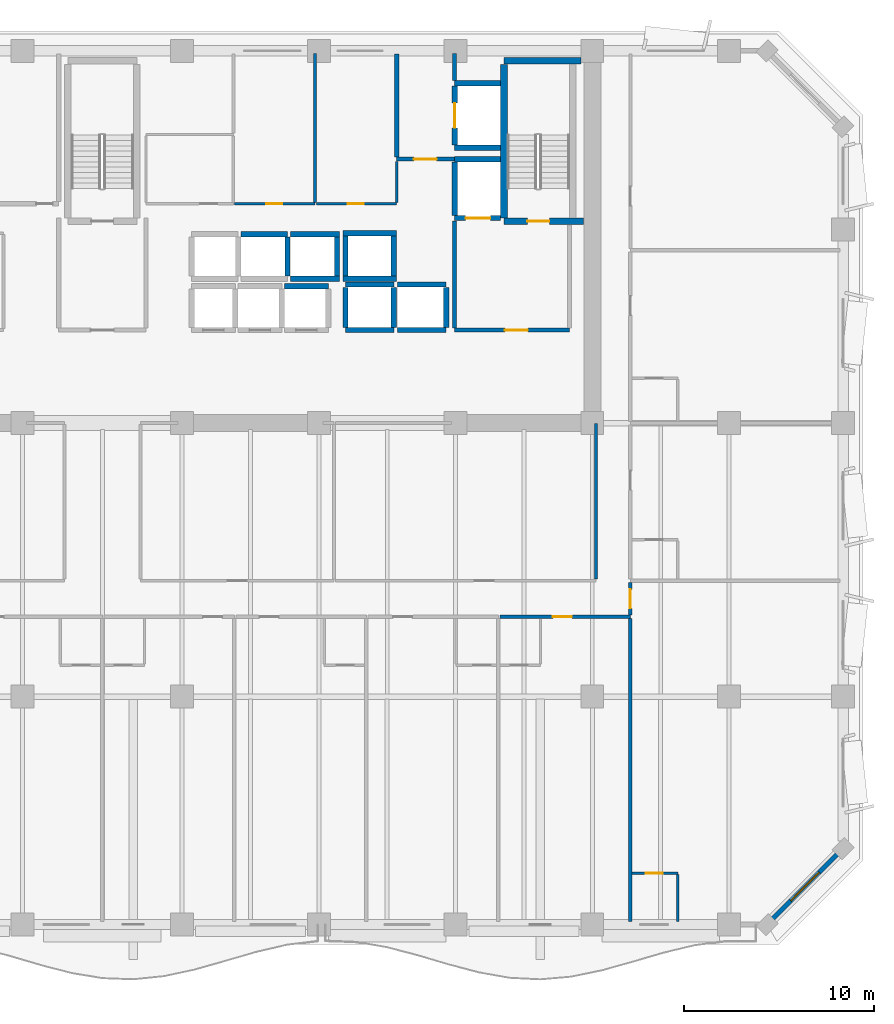
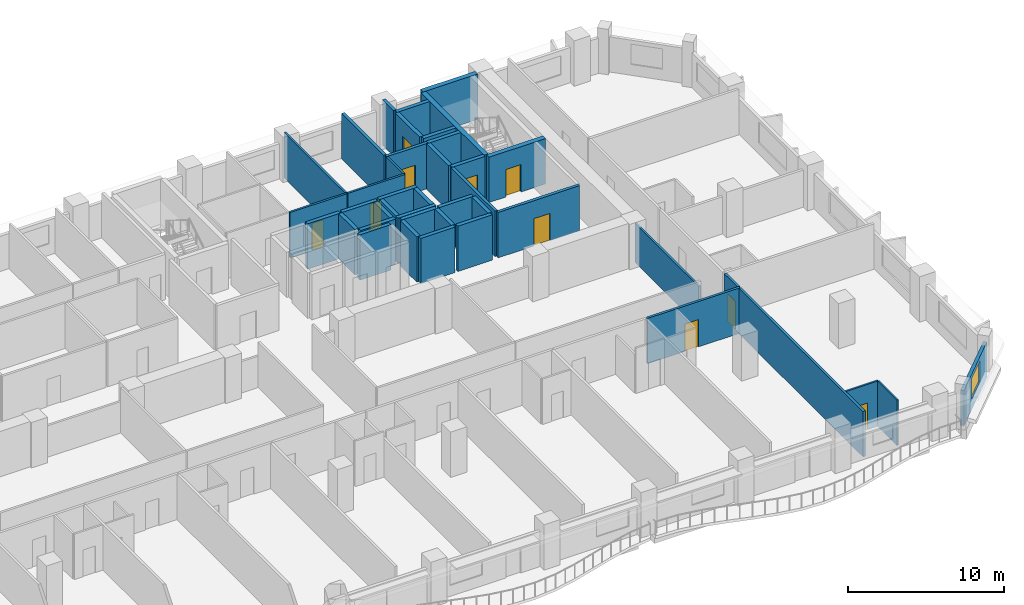
# One storey, part 8 of 14: 42 walls, 10 doors, 1 window, 11 openings.
"""IFC4 building model written with IfcOpenShell, lengths in metres."""

from ifc_helpers import new_model, si_unit, direction, frame, frame_2d, origin, place, context, subcontext, project, spatial, rectangle, extrude, material, layer, layer_set, type_object, element, fill, save


model = new_model("IFC4")

# Units and contexts
model_context = context("Model", 3, precision=1e-05, world=origin(), true_north=direction((0.0, 1.0)))
body_context = subcontext(model_context, "Body", "Model", "MODEL_VIEW")
ifc_project = project(units=[si_unit("LENGTHUNIT", "METRE"), si_unit("AREAUNIT", "SQUARE_METRE"), si_unit("VOLUMEUNIT", "CUBIC_METRE"), si_unit("PLANEANGLEUNIT", "RADIAN"), si_unit("MASSUNIT", "GRAM", prefix="KILO")], contexts=[model_context])

# Site, building, storey
site_placement = place(None, origin())
site = spatial("IfcSite", under=ifc_project, at=site_placement, CompositionType="ELEMENT")
building_placement = place(site_placement, origin())
building = spatial("IfcBuilding", under=site, at=building_placement, Name="Kaelvorn Grand Hotel", CompositionType="ELEMENT")
storey_placement = place(building_placement, frame((0.0, 0.0, 165.75)))
storey = spatial("IfcBuildingStorey", under=building, at=storey_placement, Name="L40", CompositionType="ELEMENT", Elevation=165.75)

# Wall, opening, window
ifc_material_1 = material(Name="Concrete C40/50", Category="concrete")
ifc_layer_1 = layer(ifc_material_1, 0.239990234375)
ifc_layer_set_1 = layer_set([ifc_layer_1], Name="Concrete C40/50")
wall_type_1 = type_object("IfcWallType", Name="WL-EXT-240-C40", PredefinedType="SOLIDWALL", material=ifc_layer_set_1)
wall_1_placement = place(storey_placement, frame((77.0, 3.0, 0.0), z_axis=(0.0, 0.0, 1.0), x_axis=(0.707106781187, 0.707106781187, 0.0)))
wall_1 = element("IfcWall", 1, at=wall_1_placement, inside=storey, type_object=wall_type_1, Name="L40 Exterior Architectural Concrete Wall 02", PredefinedType="SOLIDWALL", context=body_context, shape_type="SweptSolid", body=[
    extrude(rectangle(XDim=5.65673828125, YDim=0.239990234375, at=frame_2d((2.828369140625, 0.0))), origin(), (0.0, 0.0, 1.0), 2.760009765625),
])
opening_1_placement = place(wall_1_placement, frame((1.7783203125, 0.0, 0.85009765625)))
opening_1 = element("IfcOpeningElement", 2, at=opening_1_placement, cuts=wall_1, Name="Opening W7", PredefinedType="OPENING", context=body_context, shape_type="SweptSolid", body=[
    extrude(rectangle(XDim=2.10009765625, YDim=1.60009765625, at=frame_2d((1.050048828125, 0.800048828125))), frame((0.0, 0.1298828125, 0.0), z_axis=(0.0, -1.0, 0.0), x_axis=(1.0, 0.0, 0.0)), (0.0, 0.0, 1.0), 0.260009765625),
])
ifc_material_2 = material(Name="Laminated Low-E Glass", Category="glass")
window_type = type_object("IfcWindowType", Name="WIN-CHM-2100x1600", PartitioningType="SINGLE_PANEL", PredefinedType="WINDOW", material=ifc_material_2)
window_placement = place(opening_1_placement, origin())
window = element("IfcWindow", 3, at=window_placement, inside=storey, type_object=window_type, Name="L40 Chamfered 45-Degree Corner Window SE", OverallHeight=1.60009765625, OverallWidth=2.10009765625, PartitioningType="SINGLE_PANEL", PredefinedType="WINDOW", context=body_context, shape_type="SweptSolid", body=[
    extrude(rectangle(XDim=2.10009765625, YDim=1.60009765625, at=frame_2d((1.050048828125, 0.800048828125))), frame((0.0, 0.030029296875, 0.0), z_axis=(0.0, -1.0, 0.0), x_axis=(1.0, 0.0, 0.0)), (0.0, 0.0, 1.0), 0.06005859375),
])
fill(opening_1, window)

# Wall, opening, door
ifc_material_3 = material(Name="Moisture-Resistant Tile & Stud Board")
ifc_layer_2 = layer(ifc_material_3, 0.125)
ifc_layer_set_2 = layer_set([ifc_layer_2], Name="Moisture-Resistant Tile & Stud Board")
wall_type_2 = type_object("IfcWallType", Name="WL-PART-125-WET", PredefinedType="PARTITIONING", material=ifc_layer_set_2)
wall_2_placement = place(storey_placement, frame((69.89501953125, 5.699951171875, 0.0), z_axis=(0.0, 0.0, 1.0), x_axis=(1.0, 0.0, 0.0)))
wall_2 = element("IfcWall", 4, at=wall_2_placement, inside=storey, type_object=wall_type_2, Name="L40 En-suite Bathroom L40-11 N Partition", PredefinedType="PARTITIONING", context=body_context, shape_type="SweptSolid", body=[
    extrude(rectangle(XDim=2.405029296875, YDim=0.125, at=frame_2d((1.20263671875, 0.0))), origin(), (0.0, 0.0, 1.0), 3.56005859375),
])
opening_2_placement = place(wall_2_placement, frame((0.705078125, 0.0, 0.0)))
opening_2 = element("IfcOpeningElement", 5, at=opening_2_placement, cuts=wall_2, Name="Opening DI4", PredefinedType="OPENING", context=body_context, shape_type="SweptSolid", body=[
    extrude(rectangle(XDim=0.89990234375, YDim=2.10009765625, at=frame_2d((0.449951171875, 1.050048828125))), frame((0.0, 0.072509765625, 0.0), z_axis=(0.0, -1.0, 0.0), x_axis=(1.0, 0.0, 0.0)), (0.0, 0.0, 1.0), 0.14501953125),
])
ifc_material_4 = material(Name="Timber Veneer Leaf", Category="wood")
door_type_1 = type_object("IfcDoorType", Name="DR-INT-BATH-900x2100", OperationType="NOTDEFINED", PredefinedType="DOOR", material=ifc_material_4)
door_1_placement = place(opening_2_placement, origin())
door_1 = element("IfcDoor", 6, at=door_1_placement, inside=storey, type_object=door_type_1, Name="L40 En-suite Bathroom L40-11 Door", OperationType="SINGLE_SWING_LEFT", OverallHeight=2.10009765625, OverallWidth=0.89990234375, PredefinedType="DOOR", context=body_context, shape_type="SweptSolid", body=[
    extrude(rectangle(XDim=0.89990234375, YDim=2.10009765625, at=frame_2d((0.449951171875, 1.050048828125))), frame((0.0, 0.02490234375, 0.0), z_axis=(0.0, -1.0, 0.0), x_axis=(1.0, 0.0, 0.0)), (0.0, 0.0, 1.0), 0.050048828125),
])
fill(opening_2, door_1)

# Wall
wall_3_placement = place(storey_placement, frame((72.300048828125, 3.14990234375, 0.0), z_axis=(0.0, 0.0, 1.0), x_axis=(0.0, 1.0, 0.0)))
element("IfcWall", 7, at=wall_3_placement, inside=storey, type_object=wall_type_2, Name="L40 En-suite Bathroom L40-11 E Partition", PredefinedType="PARTITIONING", context=body_context, shape_type="SweptSolid", body=[
    extrude(rectangle(XDim=2.482666015625, YDim=0.125, at=frame_2d((1.2412109375, 0.0))), origin(), (0.0, 0.0, 1.0), 3.56005859375),
])

# Wall, opening, door
ifc_material_5 = material(Name="Acoustic Gypsum & Stud Partition")
ifc_layer_3 = layer(ifc_material_5, 0.14990234375)
ifc_layer_set_3 = layer_set([ifc_layer_3], Name="Acoustic Gypsum & Stud Partition")
wall_type_3 = type_object("IfcWallType", Name="WL-PART-150-EI60", PredefinedType="PARTITIONING", material=ifc_layer_set_3)
wall_4_placement = place(storey_placement, frame((48.967529296875, 40.949951171875, 0.0), z_axis=(0.0, 0.0, 1.0), x_axis=(1.0, 0.0, 0.0)))
wall_4 = element("IfcWall", 8, at=wall_4_placement, inside=storey, type_object=wall_type_3, Name="L40 Minibar & Glassware Store S Partition", PredefinedType="PARTITIONING", context=body_context, shape_type="SweptSolid", body=[
    extrude(rectangle(XDim=4.232421875, YDim=0.14990234375, at=frame_2d((2.1162109375, 0.0))), origin(), (0.0, 0.0, 1.0), 3.56005859375),
])
opening_3_placement = place(wall_4_placement, frame((1.657470703125, 0.0, 0.0)))
opening_3 = element("IfcOpeningElement", 9, at=opening_3_placement, cuts=wall_4, Name="Opening DI7", PredefinedType="OPENING", context=body_context, shape_type="SweptSolid", body=[
    extrude(rectangle(XDim=0.85009765625, YDim=2.10009765625, at=frame_2d((0.425048828125, 1.050048828125))), frame((0.0, 0.0849609375, 0.0), z_axis=(0.0, -1.0, 0.0), x_axis=(1.0, 0.0, 0.0)), (0.0, 0.0, 1.0), 0.169921875),
])
ifc_material_6 = material(Name="Powder-Coated Steel Leaf", Category="steel")
door_type_2 = type_object("IfcDoorType", Name="DR-INT-RISER-850x2100", OperationType="NOTDEFINED", PredefinedType="DOOR", material=ifc_material_6)
door_2_placement = place(opening_3_placement, origin())
door_2 = element("IfcDoor", 10, at=door_2_placement, inside=storey, type_object=door_type_2, Name="L40 Minibar & Glassware Store Door", OperationType="SINGLE_SWING_RIGHT", OverallHeight=2.10009765625, OverallWidth=0.85009765625, PredefinedType="DOOR", context=body_context, shape_type="SweptSolid", body=[
    extrude(rectangle(XDim=0.85009765625, YDim=2.10009765625, at=frame_2d((0.425048828125, 1.050048828125))), frame((0.0, 0.02490234375, 0.0), z_axis=(0.0, -1.0, 0.0), x_axis=(1.0, 0.0, 0.0)), (0.0, 0.0, 1.0), 0.050048828125),
])
fill(opening_3, door_2)

# Wall
wall_5_placement = place(storey_placement, frame((53.199951171875, 41.030029296875, 0.0), z_axis=(0.0, 0.0, 1.0), x_axis=(0.0, 1.0, 0.0)))
element("IfcWall", 11, at=wall_5_placement, inside=storey, type_object=wall_type_3, Name="L40 Minibar & Glassware Store E Partition", PredefinedType="PARTITIONING", context=body_context, shape_type="SweptSolid", body=[
    extrude(rectangle(XDim=7.820068359375, YDim=0.14990234375, at=frame_2d((3.91015625, 0.0))), origin(), (0.0, 0.0, 1.0), 3.56005859375),
])

# Wall, opening, door
wall_6_placement = place(storey_placement, frame((53.280029296875, 40.949951171875, 0.0), z_axis=(0.0, 0.0, 1.0), x_axis=(1.0, 0.0, 0.0)))
wall_6 = element("IfcWall", 12, at=wall_6_placement, inside=storey, type_object=wall_type_3, Name="L40 Floor IT & Comms Room S Partition", PredefinedType="PARTITIONING", context=body_context, shape_type="SweptSolid", body=[
    extrude(rectangle(XDim=4.219970703125, YDim=0.14990234375, at=frame_2d((2.10986328125, 0.0))), origin(), (0.0, 0.0, 1.0), 3.56005859375),
])
opening_4_placement = place(wall_6_placement, frame((1.64501953125, 0.0, 0.0)))
opening_4 = element("IfcOpeningElement", 13, at=opening_4_placement, cuts=wall_6, Name="Opening DI7", PredefinedType="OPENING", context=body_context, shape_type="SweptSolid", body=[
    extrude(rectangle(XDim=0.85009765625, YDim=2.10009765625, at=frame_2d((0.425048828125, 1.050048828125))), frame((0.0, 0.0849609375, 0.0), z_axis=(0.0, -1.0, 0.0), x_axis=(1.0, 0.0, 0.0)), (0.0, 0.0, 1.0), 0.169921875),
])
door_3_placement = place(opening_4_placement, origin())
door_3 = element("IfcDoor", 14, at=door_3_placement, inside=storey, type_object=door_type_2, Name="L40 Floor IT & Comms Room Door", OperationType="SINGLE_SWING_LEFT", OverallHeight=2.10009765625, OverallWidth=0.85009765625, PredefinedType="DOOR", context=body_context, shape_type="SweptSolid", body=[
    extrude(rectangle(XDim=0.85009765625, YDim=2.10009765625, at=frame_2d((0.425048828125, 1.050048828125))), frame((0.0, 0.02490234375, 0.0), z_axis=(0.0, -1.0, 0.0), x_axis=(1.0, 0.0, 0.0)), (0.0, 0.0, 1.0), 0.050048828125),
])
fill(opening_4, door_3)

# Walls
wall_7_placement = place(storey_placement, frame((57.5, 41.030029296875, 0.0), z_axis=(0.0, 0.0, 1.0), x_axis=(0.0, 1.0, 0.0)))
element("IfcWall", 15, at=wall_7_placement, inside=storey, type_object=wall_type_3, Name="L40 Floor IT & Comms Room E Partition", PredefinedType="PARTITIONING", context=body_context, shape_type="SweptSolid", body=[
    extrude(rectangle(XDim=2.155029296875, YDim=0.14990234375, at=frame_2d((1.07763671875, 0.0))), origin(), (0.0, 0.0, 1.0), 3.56005859375),
])
wall_8_placement = place(storey_placement, frame((68.0, 21.179931640625, 0.0), z_axis=(0.0, 0.0, 1.0), x_axis=(0.0, 1.0, 0.0)))
element("IfcWall", 16, at=wall_8_placement, inside=storey, type_object=wall_type_3, Name="L40 Executive Meeting Room E Partition", PredefinedType="PARTITIONING", context=body_context, shape_type="SweptSolid", body=[
    extrude(rectangle(XDim=8.2099609375, YDim=0.14990234375, at=frame_2d((4.10498046875, 0.0))), origin(), (0.0, 0.0, 1.0), 3.06005859375),
])

# Wall, opening, door
ifc_layer_4 = layer(ifc_material_5, 0.179931640625)
ifc_layer_set_4 = layer_set([ifc_layer_4], Name="Acoustic Gypsum & Stud Partition")
wall_type_4 = type_object("IfcWallType", Name="WL-PART-180-EI60", PredefinedType="PARTITIONING", material=ifc_layer_set_4)
wall_9_placement = place(storey_placement, frame((62.945068359375, 19.199951171875, 0.0), z_axis=(0.0, 0.0, 1.0), x_axis=(1.0, 0.0, 0.0)))
wall_9 = element("IfcWall", 17, at=wall_9_placement, inside=storey, type_object=wall_type_4, Name="L40 Mid-Rise Signature Suite L40-08 N Partition", PredefinedType="PARTITIONING", context=body_context, shape_type="SweptSolid", body=[
    extrude(rectangle(XDim=6.85498046875, YDim=0.179931640625, at=frame_2d((3.427490234375, 0.0))), origin(), (0.0, 0.0, 1.0), 3.56005859375),
])
opening_5_placement = place(wall_9_placement, frame((2.77490234375, 0.0, 0.0)))
opening_5 = element("IfcOpeningElement", 18, at=opening_5_placement, cuts=wall_9, Name="Opening DI3", PredefinedType="OPENING", context=body_context, shape_type="SweptSolid", body=[
    extrude(rectangle(XDim=1.0, YDim=2.14990234375, at=frame_2d((0.5, 1.074951171875))), frame((0.0, 0.10009765625, 0.0), z_axis=(0.0, -1.0, 0.0), x_axis=(1.0, 0.0, 0.0)), (0.0, 0.0, 1.0), 0.199951171875),
])
ifc_material_7 = material(Name="Timber Veneer Fire Leaf", Category="wood")
door_type_3 = type_object("IfcDoorType", Name="DR-INT-GUEST-1000x2150", OperationType="NOTDEFINED", PredefinedType="DOOR", material=ifc_material_7)
door_4_placement = place(opening_5_placement, origin())
door_4 = element("IfcDoor", 19, at=door_4_placement, inside=storey, type_object=door_type_3, Name="L40 Mid-Rise Signature Suite L40-08 Door", OperationType="SINGLE_SWING_RIGHT", OverallHeight=2.14990234375, OverallWidth=1.0, PredefinedType="DOOR", context=body_context, shape_type="SweptSolid", body=[
    extrude(rectangle(XDim=1.0, YDim=2.14990234375, at=frame_2d((0.5, 1.074951171875))), frame((0.0, 0.02490234375, 0.0), z_axis=(0.0, -1.0, 0.0), x_axis=(1.0, 0.0, 0.0)), (0.0, 0.0, 1.0), 0.050048828125),
])
fill(opening_5, door_4)

# Wall
wall_10_placement = place(storey_placement, frame((69.800048828125, 3.14990234375, 0.0), z_axis=(0.0, 0.0, 1.0), x_axis=(0.0, 1.0, 0.0)))
element("IfcWall", 20, at=wall_10_placement, inside=storey, type_object=wall_type_4, Name="L40 Mid-Rise Signature Suite L40-08 E Partition", PredefinedType="PARTITIONING", context=body_context, shape_type="SweptSolid", body=[
    extrude(rectangle(XDim=15.955078125, YDim=0.179931640625, at=frame_2d((7.9775390625, 0.0))), origin(), (0.0, 0.0, 1.0), 3.56005859375),
])

# Wall, opening, door
wall_11_placement = place(storey_placement, frame((69.800048828125, 19.294921875, 0.0), z_axis=(0.0, 0.0, 1.0), x_axis=(0.0, 1.0, 0.0)))
wall_11 = element("IfcWall", 21, at=wall_11_placement, inside=storey, type_object=wall_type_4, Name="L40 South-East Chamfer Suite L40-11 W Partition", PredefinedType="PARTITIONING", context=body_context, shape_type="SweptSolid", body=[
    extrude(rectangle(XDim=1.7099609375, YDim=0.179931640625, at=frame_2d((0.85498046875, 0.0))), origin(), (0.0, 0.0, 1.0), 3.56005859375),
])
opening_6_placement = place(wall_11_placement, frame((0.35498046875, 0.0, 0.0)))
opening_6 = element("IfcOpeningElement", 22, at=opening_6_placement, cuts=wall_11, Name="Opening DI3", PredefinedType="OPENING", context=body_context, shape_type="SweptSolid", body=[
    extrude(rectangle(XDim=1.0, YDim=2.14990234375, at=frame_2d((0.5, 1.074951171875))), frame((0.0, 0.10009765625, 0.0), z_axis=(0.0, -1.0, 0.0), x_axis=(1.0, 0.0, 0.0)), (0.0, 0.0, 1.0), 0.199951171875),
])
door_5_placement = place(opening_6_placement, origin())
door_5 = element("IfcDoor", 23, at=door_5_placement, inside=storey, type_object=door_type_3, Name="L40 South-East Chamfer Suite L40-11 Door", OperationType="SINGLE_SWING_RIGHT", OverallHeight=2.14990234375, OverallWidth=1.0, PredefinedType="DOOR", context=body_context, shape_type="SweptSolid", body=[
    extrude(rectangle(XDim=1.0, YDim=2.14990234375, at=frame_2d((0.5, 1.074951171875))), frame((0.0, 0.02490234375, 0.0), z_axis=(0.0, -1.0, 0.0), x_axis=(1.0, 0.0, 0.0)), (0.0, 0.0, 1.0), 0.050048828125),
])
fill(opening_6, door_5)

ifc_layer_5 = layer(ifc_material_1, 0.219970703125)
ifc_layer_set_5 = layer_set([ifc_layer_5], Name="Concrete C40/50")
wall_type_5 = type_object("IfcWallType", Name="WL-PART-220-EI120", PredefinedType="PARTITIONING", material=ifc_layer_set_5)
wall_12_placement = place(storey_placement, frame((60.550048828125, 34.300048828125, 0.0), z_axis=(0.0, 0.0, 1.0), x_axis=(1.0, 0.0, 0.0)))
wall_12 = element("IfcWall", 24, at=wall_12_placement, inside=storey, type_object=wall_type_5, Name="L40 Firefighting Lift Lobby 2 S Partition", PredefinedType="PARTITIONING", context=body_context, shape_type="SweptSolid", body=[
    extrude(rectangle(XDim=6.050048828125, YDim=0.219970703125, at=frame_2d((3.02490234375, 0.0))), origin(), (0.0, 0.0, 1.0), 3.56005859375),
])
opening_7_placement = place(wall_12_placement, frame((2.64990234375, 0.0, 0.0)))
opening_7 = element("IfcOpeningElement", 25, at=opening_7_placement, cuts=wall_12, Name="Opening DI2", PredefinedType="OPENING", context=body_context, shape_type="SweptSolid", body=[
    extrude(rectangle(XDim=1.199951171875, YDim=2.14990234375, at=frame_2d((0.60009765625, 1.074951171875))), frame((0.0, 0.1201171875, 0.0), z_axis=(0.0, -1.0, 0.0), x_axis=(1.0, 0.0, 0.0)), (0.0, 0.0, 1.0), 0.239990234375),
])
door_type_4 = type_object("IfcDoorType", Name="DR-INT-FFLOB-1200x2150", OperationType="NOTDEFINED", PredefinedType="DOOR", material=ifc_material_7)
door_6_placement = place(opening_7_placement, origin())
door_6 = element("IfcDoor", 26, at=door_6_placement, inside=storey, type_object=door_type_4, Name="L40 Firefighting Lift Lobby 2 Door", OperationType="SINGLE_SWING_LEFT", OverallHeight=2.14990234375, OverallWidth=1.199951171875, PredefinedType="DOOR", context=body_context, shape_type="SweptSolid", body=[
    extrude(rectangle(XDim=1.199951171875, YDim=2.14990234375, at=frame_2d((0.60009765625, 1.074951171875))), frame((0.0, 0.02490234375, 0.0), z_axis=(0.0, -1.0, 0.0), x_axis=(1.0, 0.0, 0.0)), (0.0, 0.0, 1.0), 0.050048828125),
])
fill(opening_7, door_6)

# Wall
wall_13_placement = place(storey_placement, frame((60.550048828125, 34.4150390625, 0.0), z_axis=(0.0, 0.0, 1.0), x_axis=(0.0, 1.0, 0.0)))
element("IfcWall", 27, at=wall_13_placement, inside=storey, type_object=wall_type_5, Name="L40 Firefighting Lift Lobby 2 W Partition", PredefinedType="PARTITIONING", context=body_context, shape_type="SweptSolid", body=[
    extrude(rectangle(XDim=5.639892578125, YDim=0.219970703125, at=frame_2d((2.81982421875, 0.0))), origin(), (0.0, 0.0, 1.0), 3.56005859375),
])

# Wall, opening, door
wall_14_placement = place(storey_placement, frame((57.5, 43.300048828125, 0.0), z_axis=(0.0, 0.0, 1.0), x_axis=(1.0, 0.0, 0.0)))
wall_14 = element("IfcWall", 28, at=wall_14_placement, inside=storey, type_object=wall_type_5, Name="L40 Service Lift Lobby S Partition", PredefinedType="PARTITIONING", context=body_context, shape_type="SweptSolid", body=[
    extrude(rectangle(XDim=3.0400390625, YDim=0.219970703125, at=frame_2d((1.52001953125, 0.0))), origin(), (0.0, 0.0, 1.0), 3.56005859375),
])
opening_8_placement = place(wall_14_placement, frame((0.89990234375, 0.0, 0.0)))
opening_8 = element("IfcOpeningElement", 29, at=opening_8_placement, cuts=wall_14, Name="Opening DI2", PredefinedType="OPENING", context=body_context, shape_type="SweptSolid", body=[
    extrude(rectangle(XDim=1.199951171875, YDim=2.14990234375, at=frame_2d((0.60009765625, 1.074951171875))), frame((0.0, 0.1201171875, 0.0), z_axis=(0.0, -1.0, 0.0), x_axis=(1.0, 0.0, 0.0)), (0.0, 0.0, 1.0), 0.239990234375),
])
door_7_placement = place(opening_8_placement, origin())
door_7 = element("IfcDoor", 30, at=door_7_placement, inside=storey, type_object=door_type_4, Name="L40 Service Lift Lobby Door", OperationType="SINGLE_SWING_LEFT", OverallHeight=2.14990234375, OverallWidth=1.199951171875, PredefinedType="DOOR", context=body_context, shape_type="SweptSolid", body=[
    extrude(rectangle(XDim=1.199951171875, YDim=2.14990234375, at=frame_2d((0.60009765625, 1.074951171875))), frame((0.0, 0.02490234375, 0.0), z_axis=(0.0, -1.0, 0.0), x_axis=(1.0, 0.0, 0.0)), (0.0, 0.0, 1.0), 0.050048828125),
])
fill(opening_8, door_7)

# Walls
wall_15_placement = place(storey_placement, frame((57.5, 43.4150390625, 0.0), z_axis=(0.0, 0.0, 1.0), x_axis=(0.0, 1.0, 0.0)))
element("IfcWall", 31, at=wall_15_placement, inside=storey, type_object=wall_type_5, Name="L40 Service Lift Lobby W Partition", PredefinedType="PARTITIONING", context=body_context, shape_type="SweptSolid", body=[
    extrude(rectangle(XDim=5.43505859375, YDim=0.219970703125, at=frame_2d((2.717529296875, 0.0))), origin(), (0.0, 0.0, 1.0), 3.56005859375),
])
wall_16_placement = place(storey_placement, frame((60.550048828125, 47.445068359375, 0.0), z_axis=(0.0, 0.0, 1.0), x_axis=(0.0, 1.0, 0.0)))
element("IfcWall", 32, at=wall_16_placement, inside=storey, type_object=wall_type_5, Name="L40 Service Lift Lobby E Partition", PredefinedType="PARTITIONING", context=body_context, shape_type="SweptSolid", body=[
    extrude(rectangle(XDim=1.405029296875, YDim=0.219970703125, at=frame_2d((0.70263671875, 0.0))), origin(), (0.0, 0.0, 1.0), 3.56005859375),
])
ifc_material_8 = material(Name="Concrete C50/60", Category="concrete")
ifc_layer_6 = layer(ifc_material_8, 0.280029296875)
ifc_layer_set_6 = layer_set([ifc_layer_6], Name="Concrete C50/60")
wall_type_6 = type_object("IfcWallType", Name="WL-SHAFT-280-C50", PredefinedType="SHEAR", material=ifc_layer_set_6)
wall_17_placement = place(storey_placement, frame((51.60009765625, 36.60009765625, 0.0), z_axis=(0.0, 0.0, 1.0), x_axis=(1.0, 0.0, 0.0)))
element("IfcWall", 33, at=wall_17_placement, inside=storey, type_object=wall_type_6, Name="L40 Lift PL-M3 Shaft North Wall", PredefinedType="SHEAR", context=body_context, shape_type="SweptSolid", body=[
    extrude(rectangle(XDim=2.2998046875, YDim=0.280029296875, at=frame_2d((1.14990234375, 0.0))), origin(), (0.0, 0.0, 1.0), 3.56005859375),
])
wall_18_placement = place(storey_placement, frame((49.300048828125, 39.35009765625, 0.0), z_axis=(0.0, 0.0, 1.0), x_axis=(1.0, 0.0, 0.0)))
element("IfcWall", 34, at=wall_18_placement, inside=storey, type_object=wall_type_6, Name="L40 Lift SL-2 Shaft North Wall", PredefinedType="SHEAR", context=body_context, shape_type="SweptSolid", body=[
    extrude(rectangle(XDim=2.449951171875, YDim=0.280029296875, at=frame_2d((1.22509765625, 0.0))), origin(), (0.0, 0.0, 1.0), 3.56005859375),
])
wall_19_placement = place(storey_placement, frame((51.75, 37.14501953125, 0.0), z_axis=(0.0, 0.0, 1.0), x_axis=(0.0, 1.0, 0.0)))
element("IfcWall", 35, at=wall_19_placement, inside=storey, type_object=wall_type_6, Name="L40 Lift SL-2 Shaft East Wall", PredefinedType="SHEAR", context=body_context, shape_type="SweptSolid", body=[
    extrude(rectangle(XDim=2.06005859375, YDim=0.280029296875, at=frame_2d((1.030029296875, 0.0))), origin(), (0.0, 0.0, 1.0), 3.56005859375),
])
for number, where, z_axis, x_axis, name in (
    (36, (51.89990234375, 37.0, 0.0), (0.0, 0.0, 1.0), (1.0, 0.0, 0.0), "L40 Lift SL-3 Shaft South Wall"),
    (37, (51.89990234375, 39.35009765625, 0.0), (0.0, 0.0, 1.0), (1.0, 0.0, 0.0), "L40 Lift SL-3 Shaft North Wall"),
):
    element("IfcWall", number, at=place(storey_placement, frame(where, z_axis=z_axis, x_axis=x_axis)), inside=storey, type_object=wall_type_6, Name=name, PredefinedType="SHEAR", context=body_context, shape_type="SweptSolid", body=[
        extrude(rectangle(XDim=2.590087890625, YDim=0.280029296875, at=frame_2d((1.294921875, 0.0))), origin(), (0.0, 0.0, 1.0), 3.56005859375),
    ])
wall_20_placement = place(storey_placement, frame((54.35009765625, 37.14501953125, 0.0), z_axis=(0.0, 0.0, 1.0), x_axis=(0.0, 1.0, 0.0)))
element("IfcWall", 38, at=wall_20_placement, inside=storey, type_object=wall_type_6, Name="L40 Lift SL-3 Shaft East Wall", PredefinedType="SHEAR", context=body_context, shape_type="SweptSolid", body=[
    extrude(rectangle(XDim=2.06005859375, YDim=0.280029296875, at=frame_2d((1.030029296875, 0.0))), origin(), (0.0, 0.0, 1.0), 3.56005859375),
])
for number, where, z_axis, x_axis, name in (
    (39, (54.800048828125, 34.300048828125, 0.0), (0.0, 0.0, 1.0), (1.0, 0.0, 0.0), "L40 Lift OL-1 Shaft South Wall"),
    (40, (54.800048828125, 36.699951171875, 0.0), (0.0, 0.0, 1.0), (1.0, 0.0, 0.0), "L40 Lift OL-1 Shaft North Wall"),
):
    element("IfcWall", number, at=place(storey_placement, frame(where, z_axis=z_axis, x_axis=x_axis)), inside=storey, type_object=wall_type_6, Name=name, PredefinedType="SHEAR", context=body_context, shape_type="SweptSolid", body=[
        extrude(rectangle(XDim=2.550048828125, YDim=0.280029296875, at=frame_2d((1.27490234375, 0.0))), origin(), (0.0, 0.0, 1.0), 3.56005859375),
    ])
for number, where, z_axis, x_axis, name in (
    (41, (54.800048828125, 34.445068359375, 0.0), (0.0, 0.0, 1.0), (0.0, 1.0, 0.0), "L40 Lift OL-1 Shaft West Wall"),
    (42, (57.35009765625, 34.445068359375, 0.0), (0.0, 0.0, 1.0), (0.0, 1.0, 0.0), "L40 Lift OL-1 Shaft East Wall"),
):
    element("IfcWall", number, at=place(storey_placement, frame(where, z_axis=z_axis, x_axis=x_axis)), inside=storey, type_object=wall_type_6, Name=name, PredefinedType="SHEAR", context=body_context, shape_type="SweptSolid", body=[
        extrude(rectangle(XDim=2.10986328125, YDim=0.280029296875, at=frame_2d((1.054931640625, 0.0))), origin(), (0.0, 0.0, 1.0), 3.56005859375),
    ])
for number, where, z_axis, x_axis, name in (
    (43, (57.550048828125, 34.300048828125, 0.0), (0.0, 0.0, 1.0), (1.0, 0.0, 0.0), "L40 Lift OL-2 Shaft South Wall"),
    (44, (57.550048828125, 36.699951171875, 0.0), (0.0, 0.0, 1.0), (1.0, 0.0, 0.0), "L40 Lift OL-2 Shaft North Wall"),
):
    element("IfcWall", number, at=place(storey_placement, frame(where, z_axis=z_axis, x_axis=x_axis)), inside=storey, type_object=wall_type_6, Name=name, PredefinedType="SHEAR", context=body_context, shape_type="SweptSolid", body=[
        extrude(rectangle(XDim=2.550048828125, YDim=0.280029296875, at=frame_2d((1.27490234375, 0.0))), origin(), (0.0, 0.0, 1.0), 3.56005859375),
    ])
wall_21_placement = place(storey_placement, frame((60.10009765625, 34.445068359375, 0.0), z_axis=(0.0, 0.0, 1.0), x_axis=(0.0, 1.0, 0.0)))
element("IfcWall", 45, at=wall_21_placement, inside=storey, type_object=wall_type_6, Name="L40 Lift OL-2 Shaft East Wall", PredefinedType="SHEAR", context=body_context, shape_type="SweptSolid", body=[
    extrude(rectangle(XDim=2.10986328125, YDim=0.280029296875, at=frame_2d((1.054931640625, 0.0))), origin(), (0.0, 0.0, 1.0), 3.56005859375),
])
for number, where, z_axis, x_axis, name in (
    (46, (54.659912109375, 37.0, 0.0), (0.0, 0.0, 1.0), (1.0, 0.0, 0.0), "L40 Lift OL-3 Shaft South Wall"),
    (47, (54.659912109375, 39.39990234375, 0.0), (0.0, 0.0, 1.0), (1.0, 0.0, 0.0), "L40 Lift OL-3 Shaft North Wall"),
):
    element("IfcWall", number, at=place(storey_placement, frame(where, z_axis=z_axis, x_axis=x_axis)), inside=storey, type_object=wall_type_6, Name=name, PredefinedType="SHEAR", context=body_context, shape_type="SweptSolid", body=[
        extrude(rectangle(XDim=2.830078125, YDim=0.280029296875, at=frame_2d((1.4150390625, 0.0))), origin(), (0.0, 0.0, 1.0), 3.56005859375),
    ])
for number, where, z_axis, x_axis, name in (
    (48, (54.800048828125, 37.14501953125, 0.0), (0.0, 0.0, 1.0), (0.0, 1.0, 0.0), "L40 Lift OL-3 Shaft West Wall"),
    (49, (57.35009765625, 37.14501953125, 0.0), (0.0, 0.0, 1.0), (0.0, 1.0, 0.0), "L40 Lift OL-3 Shaft East Wall"),
):
    element("IfcWall", number, at=place(storey_placement, frame(where, z_axis=z_axis, x_axis=x_axis)), inside=storey, type_object=wall_type_6, Name=name, PredefinedType="SHEAR", context=body_context, shape_type="SweptSolid", body=[
        extrude(rectangle(XDim=2.10986328125, YDim=0.280029296875, at=frame_2d((1.054931640625, 0.0))), origin(), (0.0, 0.0, 1.0), 3.56005859375),
    ])

# Wall, opening, door
wall_22_placement = place(storey_placement, frame((60.550048828125, 40.199951171875, 0.0), z_axis=(0.0, 0.0, 1.0), x_axis=(1.0, 0.0, 0.0)))
wall_22 = element("IfcWall", 50, at=wall_22_placement, inside=storey, type_object=wall_type_6, Name="L40 Lift FFL2 Shaft South Wall", PredefinedType="SHEAR", context=body_context, shape_type="SweptSolid", body=[
    extrude(rectangle(XDim=2.4150390625, YDim=0.280029296875, at=frame_2d((1.20751953125, 0.0))), origin(), (0.0, 0.0, 1.0), 3.56005859375),
])
opening_9_placement = place(wall_22_placement, frame((0.574951171875, 0.0, 0.0)))
opening_9 = element("IfcOpeningElement", 51, at=opening_9_placement, cuts=wall_22, Name="Opening LD-FFL2", PredefinedType="OPENING", context=body_context, shape_type="SweptSolid", body=[
    extrude(rectangle(XDim=1.300048828125, YDim=2.300048828125, at=frame_2d((0.64990234375, 1.14990234375))), frame((0.0, 0.14990234375, 0.0), z_axis=(0.0, -1.0, 0.0), x_axis=(1.0, 0.0, 0.0)), (0.0, 0.0, 1.0), 0.300048828125),
])
ifc_material_9 = material(Name="Stainless Steel", Category="steel")
door_type_5 = type_object("IfcDoorType", Name="DR-LIFT-SERV-1300x2300", OperationType="DOUBLE_DOOR_SLIDING", PredefinedType="DOOR", material=ifc_material_9)
door_8_placement = place(opening_9_placement, origin())
door_8 = element("IfcDoor", 52, at=door_8_placement, inside=storey, type_object=door_type_5, Name="L40 Lift FFL2 Sliding Landing Door LD-FFL2", OperationType="DOUBLE_DOOR_SLIDING", OverallHeight=2.300048828125, OverallWidth=1.300048828125, PredefinedType="DOOR", context=body_context, shape_type="SweptSolid", body=[
    extrude(rectangle(XDim=1.300048828125, YDim=2.300048828125, at=frame_2d((0.64990234375, 1.14990234375))), frame((0.0, 0.02490234375, 0.0), z_axis=(0.0, -1.0, 0.0), x_axis=(1.0, 0.0, 0.0)), (0.0, 0.0, 1.0), 0.050048828125),
])
fill(opening_9, door_8)

# Walls
wall_23_placement = place(storey_placement, frame((60.550048828125, 43.300048828125, 0.0), z_axis=(0.0, 0.0, 1.0), x_axis=(1.0, 0.0, 0.0)))
element("IfcWall", 53, at=wall_23_placement, inside=storey, type_object=wall_type_6, Name="L40 Lift FFL2 Shaft North Wall", PredefinedType="SHEAR", context=body_context, shape_type="SweptSolid", body=[
    extrude(rectangle(XDim=2.4150390625, YDim=0.280029296875, at=frame_2d((1.20751953125, 0.0))), origin(), (0.0, 0.0, 1.0), 3.56005859375),
])
wall_24_placement = place(storey_placement, frame((60.550048828125, 40.344970703125, 0.0), z_axis=(0.0, 0.0, 1.0), x_axis=(0.0, 1.0, 0.0)))
element("IfcWall", 54, at=wall_24_placement, inside=storey, type_object=wall_type_6, Name="L40 Lift FFL2 Shaft West Wall", PredefinedType="SHEAR", context=body_context, shape_type="SweptSolid", body=[
    extrude(rectangle(XDim=2.81005859375, YDim=0.280029296875, at=frame_2d((1.405029296875, 0.0))), origin(), (0.0, 0.0, 1.0), 3.56005859375),
])
for number, where, z_axis, x_axis, name in (
    (55, (60.550048828125, 43.89990234375, 0.0), (0.0, 0.0, 1.0), (1.0, 0.0, 0.0), "L40 Lift SV1 Shaft South Wall"),
    (56, (60.550048828125, 47.300048828125, 0.0), (0.0, 0.0, 1.0), (1.0, 0.0, 0.0), "L40 Lift SV1 Shaft North Wall"),
):
    element("IfcWall", number, at=place(storey_placement, frame(where, z_axis=z_axis, x_axis=x_axis)), inside=storey, type_object=wall_type_6, Name=name, PredefinedType="SHEAR", context=body_context, shape_type="SweptSolid", body=[
        extrude(rectangle(XDim=2.4150390625, YDim=0.280029296875, at=frame_2d((1.20751953125, 0.0))), origin(), (0.0, 0.0, 1.0), 3.56005859375),
    ])

# Wall, opening, door
wall_25_placement = place(storey_placement, frame((60.550048828125, 44.044921875, 0.0), z_axis=(0.0, 0.0, 1.0), x_axis=(0.0, 1.0, 0.0)))
wall_25 = element("IfcWall", 57, at=wall_25_placement, inside=storey, type_object=wall_type_6, Name="L40 Lift SV1 Shaft West Wall", PredefinedType="SHEAR", context=body_context, shape_type="SweptSolid", body=[
    extrude(rectangle(XDim=3.110107421875, YDim=0.280029296875, at=frame_2d((1.55517578125, 0.0))), origin(), (0.0, 0.0, 1.0), 3.56005859375),
])
opening_10_placement = place(wall_25_placement, frame((0.905029296875, 0.0, 0.0)))
opening_10 = element("IfcOpeningElement", 58, at=opening_10_placement, cuts=wall_25, Name="Opening LD-SV1", PredefinedType="OPENING", context=body_context, shape_type="SweptSolid", body=[
    extrude(rectangle(XDim=1.300048828125, YDim=2.300048828125, at=frame_2d((0.64990234375, 1.14990234375))), frame((0.0, 0.14990234375, 0.0), z_axis=(0.0, -1.0, 0.0), x_axis=(1.0, 0.0, 0.0)), (0.0, 0.0, 1.0), 0.300048828125),
])
door_9_placement = place(opening_10_placement, origin())
door_9 = element("IfcDoor", 59, at=door_9_placement, inside=storey, type_object=door_type_5, Name="L40 Lift SV1 Sliding Landing Door LD-SV1", OperationType="DOUBLE_DOOR_SLIDING", OverallHeight=2.300048828125, OverallWidth=1.300048828125, PredefinedType="DOOR", context=body_context, shape_type="SweptSolid", body=[
    extrude(rectangle(XDim=1.300048828125, YDim=2.300048828125, at=frame_2d((0.64990234375, 1.14990234375))), frame((0.0, 0.02490234375, 0.0), z_axis=(0.0, -1.0, 0.0), x_axis=(1.0, 0.0, 0.0)), (0.0, 0.0, 1.0), 0.050048828125),
])
fill(opening_10, door_9)

ifc_material_10 = material(Name="Concrete C60/75", Category="concrete")
ifc_layer_7 = layer(ifc_material_10, 0.35009765625)
ifc_layer_set_7 = layer_set([ifc_layer_7], Name="Concrete C60/75")
wall_type_7 = type_object("IfcWallType", Name="WL-SHAFT-350-C60", PredefinedType="SHEAR", material=ifc_layer_set_7)
wall_26_placement = place(storey_placement, frame((63.14501953125, 40.02490234375, 0.0), z_axis=(0.0, 0.0, 1.0), x_axis=(1.0, 0.0, 0.0)))
wall_26 = element("IfcWall", 60, at=wall_26_placement, inside=storey, type_object=wall_type_7, Name="L40 ST3 Stair Shaft South Wall", PredefinedType="SHEAR", context=body_context, shape_type="SweptSolid", body=[
    extrude(rectangle(XDim=4.199951171875, YDim=0.35009765625, at=frame_2d((2.10009765625, 0.0))), origin(), (0.0, 0.0, 1.0), 3.56005859375),
])
opening_11_placement = place(wall_26_placement, frame((1.239990234375, 0.0, 0.0)))
opening_11 = element("IfcOpeningElement", 61, at=opening_11_placement, cuts=wall_26, Name="Opening DI1", PredefinedType="OPENING", context=body_context, shape_type="SweptSolid", body=[
    extrude(rectangle(XDim=1.14990234375, YDim=2.14990234375, at=frame_2d((0.574951171875, 1.074951171875))), frame((0.0, 0.18505859375, 0.0), z_axis=(0.0, -1.0, 0.0), x_axis=(1.0, 0.0, 0.0)), (0.0, 0.0, 1.0), 0.3701171875),
])
door_type_6 = type_object("IfcDoorType", Name="DR-INT-STAIR-1150x2150", OperationType="NOTDEFINED", PredefinedType="DOOR", material=ifc_material_7)
door_10_placement = place(opening_11_placement, origin())
door_10 = element("IfcDoor", 62, at=door_10_placement, inside=storey, type_object=door_type_6, Name="L40 ST3 Exit Stair Fire Door", OperationType="SINGLE_SWING_LEFT", OverallHeight=2.14990234375, OverallWidth=1.14990234375, PredefinedType="DOOR", context=body_context, shape_type="SweptSolid", body=[
    extrude(rectangle(XDim=1.14990234375, YDim=2.14990234375, at=frame_2d((0.574951171875, 1.074951171875))), frame((0.0, 0.02490234375, 0.0), z_axis=(0.0, -1.0, 0.0), x_axis=(1.0, 0.0, 0.0)), (0.0, 0.0, 1.0), 0.050048828125),
])
fill(opening_11, door_10)

# Walls
wall_27_placement = place(storey_placement, frame((63.14501953125, 48.47509765625, 0.0), z_axis=(0.0, 0.0, 1.0), x_axis=(1.0, 0.0, 0.0)))
element("IfcWall", 63, at=wall_27_placement, inside=storey, type_object=wall_type_7, Name="L40 ST3 Stair Shaft North Wall", PredefinedType="SHEAR", context=body_context, shape_type="SweptSolid", body=[
    extrude(rectangle(XDim=4.050048828125, YDim=0.35009765625, at=frame_2d((2.02490234375, 0.0))), origin(), (0.0, 0.0, 1.0), 3.56005859375),
])
wall_28_placement = place(storey_placement, frame((63.14501953125, 40.205078125, 0.0), z_axis=(0.0, 0.0, 1.0), x_axis=(0.0, 1.0, 0.0)))
element("IfcWall", 64, at=wall_28_placement, inside=storey, type_object=wall_type_7, Name="L40 ST3 Stair Shaft West Wall", PredefinedType="SHEAR", context=body_context, shape_type="SweptSolid", body=[
    extrude(rectangle(XDim=8.08984375, YDim=0.35009765625, at=frame_2d((4.044921875, 0.0))), origin(), (0.0, 0.0, 1.0), 3.56005859375),
])

save(model, "model.ifc")
